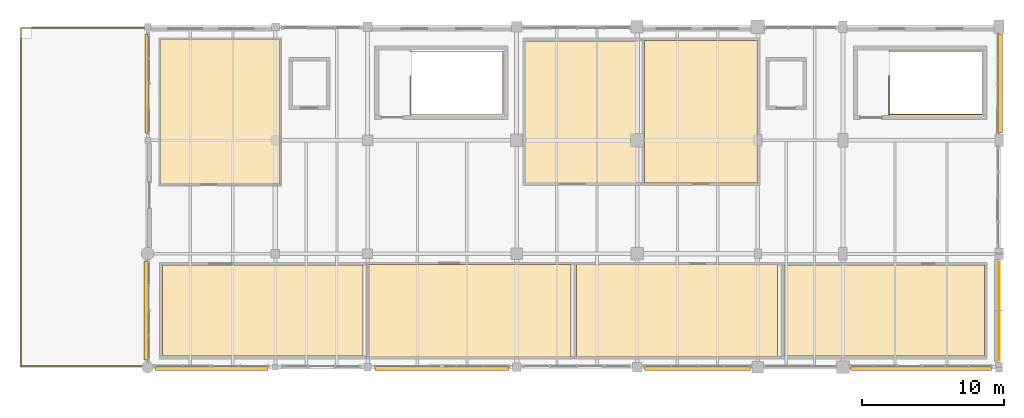
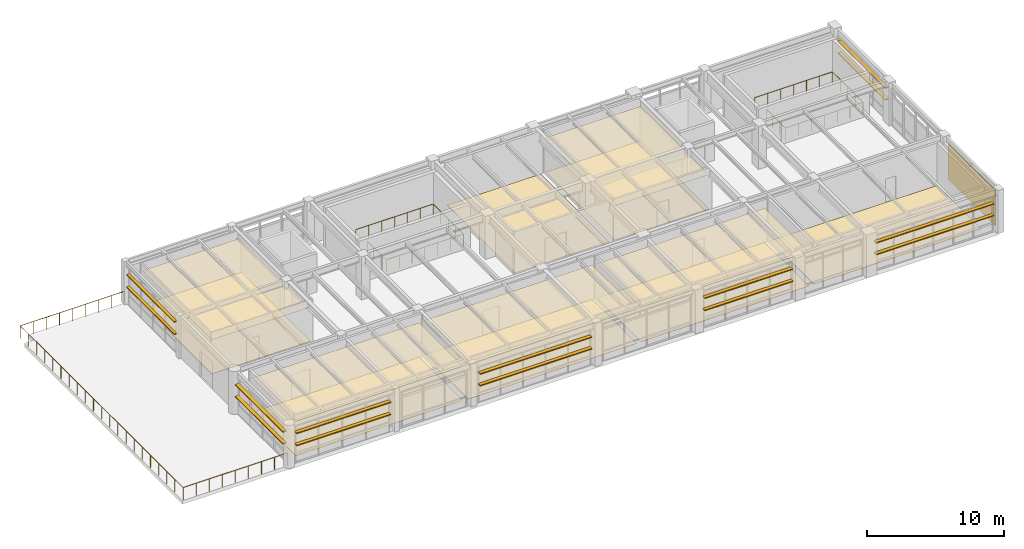
# One storey, part 26 of 26: 14 shading devices, 13 coverings, 3 railings.
"""IFC4 building model written with IfcOpenShell, lengths in metres."""

from ifc_helpers import new_model, si_unit, direction, frame, origin, origin_2d, place, context, subcontext, project, spatial, polyline, rectangle, circle, outline, extrude, material, layer, layer_set, type_object, element, save


model = new_model("IFC4")

# Units and contexts
model_context = context("Model", 3, precision=1e-05, world=origin(), true_north=direction((0.0, 1.0)))
body_context = subcontext(model_context, "Body", "Model", "MODEL_VIEW")
ifc_project = project(units=[si_unit("LENGTHUNIT", "METRE"), si_unit("AREAUNIT", "SQUARE_METRE"), si_unit("VOLUMEUNIT", "CUBIC_METRE"), si_unit("PLANEANGLEUNIT", "RADIAN"), si_unit("MASSUNIT", "GRAM", prefix="KILO"), si_unit("THERMODYNAMICTEMPERATUREUNIT", "KELVIN"), si_unit("POWERUNIT", "WATT")], contexts=[model_context])

# Site, building, storey
site_placement = place(None, origin())
site = spatial("IfcSite", under=ifc_project, at=site_placement, CompositionType="ELEMENT")
building_placement = place(site_placement, origin())
building = spatial("IfcBuilding", under=site, at=building_placement, Name="Tepalcoro Natatorium and Aquatics Centre", CompositionType="ELEMENT")
storey_placement = place(building_placement, frame((0.0, 0.0, 19.0)))
storey = spatial("IfcBuildingStorey", under=building, at=storey_placement, Name="L04", CompositionType="ELEMENT", Elevation=19.0)

# Coverings
ifc_material_1 = material(Name="Jalisco Cantera Rosa Volcanic Tuff Ashlar Masonry", Category="masonry")
ifc_layer_1 = layer(ifc_material_1, 0.06005859375)
ifc_layer_set_1 = layer_set([ifc_layer_1], Name="Jalisco Cantera Rosa Volcanic Tuff Ashlar Masonry")
covering_type_1 = type_object("IfcCoveringType", Name="CD_CANTERA_60", PredefinedType="CLADDING", material=ifc_layer_set_1)
covering_1_placement = place(storey_placement, frame((176.02490234375, 97.97509765625, 0.10009765625), z_axis=(0.0, 0.0, 1.0), x_axis=(1.0, 0.0, 0.0)))
element("IfcCovering", 1, at=covering_1_placement, inside=storey, type_object=covering_type_1, Name="Volcanic Stone Facade Cladding CD_CANTERA_60", PredefinedType="CLADDING", context=body_context, shape_type="SweptSolid", body=[
    extrude(rectangle(XDim=0.06005859375, YDim=6.94189453125, at=origin_2d()), origin(), (0.0, 0.0, 1.0), 3.159912109375),
])
ifc_material_2 = material(Name="Perforated Corrosion-Resistant Acoustic Aluminium Baffle Ceiling", Category="aluminium")
ifc_layer_2 = layer(ifc_material_2, 0.044921875)
ifc_layer_set_2 = layer_set([ifc_layer_2], Name="Perforated Corrosion-Resistant Acoustic Aluminium Baffle Ceiling")
covering_type_2 = type_object("IfcCoveringType", Name="CL_BAFFLE_120", PredefinedType="CEILING", material=ifc_layer_set_2)
covering_2_placement = place(storey_placement, frame((0.0, 0.0, 3.050048828125)))
element("IfcCovering", 2, at=covering_2_placement, inside=storey, type_object=covering_type_2, Name="Aquatic Science Symposium Lecture Room (60 Seats) Suspended Ceiling", PredefinedType="CEILING", context=body_context, shape_type="SweptSolid", body=[
    extrude(outline(polyline([(131.580078125, 94.739990234375), (131.580078125, 101.260009765625), (145.820068359375, 101.260009765625), (145.820068359375, 94.739990234375), (131.580078125, 94.739990234375)])), origin(), (0.0, 0.0, 1.0), 0.044921875),
])
covering_3_placement = place(storey_placement, frame((0.0, 0.0, 3.050048828125)))
element("IfcCovering", 3, at=covering_3_placement, inside=storey, type_object=covering_type_2, Name="High-Altitude Physiology Data & Coaching Suite Suspended Ceiling", PredefinedType="CEILING", context=body_context, shape_type="SweptSolid", body=[
    extrude(outline(polyline([(116.9150390625, 106.9150390625), (116.9150390625, 117.0849609375), (125.284912109375, 117.0849609375), (125.284912109375, 106.9150390625), (116.9150390625, 106.9150390625)])), origin(), (0.0, 0.0, 1.0), 0.044921875),
])
ifc_material_3 = material(Name="Moisture-Resistant Acoustic Gypsum Drywall on Cold-Formed Metal Studs")
ifc_layer_3 = layer(ifc_material_3, 0.030029296875)
ifc_layer_set_3 = layer_set([ifc_layer_3], Name="Moisture-Resistant Acoustic Gypsum Drywall on Cold-Formed Metal Studs")
covering_type_3 = type_object("IfcCoveringType", Name="CL_GYPSUM_30", PredefinedType="CEILING", material=ifc_layer_set_3)
covering_4_placement = place(storey_placement, frame((0.0, 0.0, 3.050048828125)))
element("IfcCovering", 4, at=covering_4_placement, inside=storey, type_object=covering_type_3, Name="Environmental Heat-Acclimatisation Chamber Suspended Ceiling", PredefinedType="CEILING", context=body_context, shape_type="SweptSolid", body=[
    extrude(outline(polyline([(146.2099609375, 94.77001953125), (146.2099609375, 101.22998046875), (160.389892578125, 101.22998046875), (160.389892578125, 94.77001953125), (146.2099609375, 94.77001953125)])), origin(), (0.0, 0.0, 1.0), 0.030029296875),
])
ifc_layer_4 = layer(ifc_material_2, 0.0400390625)
ifc_layer_set_4 = layer_set([ifc_layer_4], Name="Perforated Corrosion-Resistant Acoustic Aluminium Baffle Ceiling")
covering_type_4 = type_object("IfcCoveringType", Name="CL_PERF_AL_40", PredefinedType="CEILING", material=ifc_layer_set_4)
covering_5_placement = place(storey_placement, frame((0.0, 0.0, 3.050048828125)))
element("IfcCovering", 5, at=covering_5_placement, inside=storey, type_object=covering_type_4, Name="Volcanic Sierra Observatory & Athletes Sky Lounge Suspended Ceiling", PredefinedType="CEILING", context=body_context, shape_type="SweptSolid", body=[
    extrude(outline(polyline([(117.034912109375, 94.794921875), (117.034912109375, 101.205078125), (131.1650390625, 101.205078125), (131.1650390625, 94.794921875), (117.034912109375, 94.794921875)])), origin(), (0.0, 0.0, 1.0), 0.0400390625),
])
covering_6_placement = place(storey_placement, frame((0.0, 0.0, 3.050048828125)))
element("IfcCovering", 6, at=covering_6_placement, inside=storey, type_object=covering_type_4, Name="Observatory Catering Pantry & Chair Store Suspended Ceiling", PredefinedType="CEILING", context=body_context, shape_type="SweptSolid", body=[
    extrude(outline(polyline([(151.010009765625, 106.969970703125), (151.010009765625, 117.030029296875), (158.989990234375, 117.030029296875), (158.989990234375, 106.969970703125), (151.010009765625, 106.969970703125)])), origin(), (0.0, 0.0, 1.0), 0.0400390625),
])
ifc_material_4 = material(Name="Shock-Absorbing Vulcanised Athletic Rubber Flooring")
ifc_layer_5 = layer(ifc_material_4, 0.010009765625)
ifc_layer_set_5 = layer_set([ifc_layer_5], Name="Shock-Absorbing Vulcanised Athletic Rubber Flooring")
covering_type_5 = type_object("IfcCoveringType", Name="FL_CARPET_10", PredefinedType="FLOORING", material=ifc_layer_set_5)
covering_7_placement = place(storey_placement, origin())
element("IfcCovering", 7, at=covering_7_placement, inside=storey, type_object=covering_type_5, Name="Observatory Catering Pantry & Chair Store Floor Finish", PredefinedType="FLOORING", context=body_context, shape_type="SweptSolid", body=[
    extrude(outline(polyline([(151.010009765625, 106.969970703125), (151.010009765625, 117.030029296875), (158.989990234375, 117.030029296875), (158.989990234375, 106.969970703125), (151.010009765625, 106.969970703125)])), origin(), (0.0, 0.0, 1.0), 0.010009765625),
])
ifc_material_5 = material(Name="Slip-Resistant Porcelain Aquatic Deck Tile")
ifc_layer_6 = layer(ifc_material_5, 0.02197265625)
ifc_layer_set_6 = layer_set([ifc_layer_6], Name="Slip-Resistant Porcelain Aquatic Deck Tile")
covering_type_6 = type_object("IfcCoveringType", Name="FL_DECK_TILE_22", PredefinedType="FLOORING", material=ifc_layer_set_6)
covering_8_placement = place(storey_placement, origin())
element("IfcCovering", 8, at=covering_8_placement, inside=storey, type_object=covering_type_6, Name="Environmental Heat-Acclimatisation Chamber Floor Finish", PredefinedType="FLOORING", context=body_context, shape_type="SweptSolid", body=[
    extrude(outline(polyline([(146.2099609375, 94.77001953125), (146.2099609375, 101.22998046875), (160.389892578125, 101.22998046875), (160.389892578125, 94.77001953125), (146.2099609375, 94.77001953125)])), origin(), (0.0, 0.0, 1.0), 0.02197265625),
])
ifc_material_6 = material(Name="Chemical-Resistant Quartz-Broadcast Epoxy Flooring")
ifc_layer_7 = layer(ifc_material_6, 0.008056640625)
ifc_layer_set_7 = layer_set([ifc_layer_7], Name="Chemical-Resistant Quartz-Broadcast Epoxy Flooring")
covering_type_7 = type_object("IfcCoveringType", Name="FL_EPOXY_8", PredefinedType="FLOORING", material=ifc_layer_set_7)
covering_9_placement = place(storey_placement, origin())
element("IfcCovering", 9, at=covering_9_placement, inside=storey, type_object=covering_type_7, Name="Solar-Thermal Inverter & Heat-Recovery AHU Plant Floor Finish", PredefinedType="FLOORING", context=body_context, shape_type="SweptSolid", body=[
    extrude(outline(polyline([(142.635009765625, 106.9951171875), (142.635009765625, 117.0048828125), (150.56494140625, 117.0048828125), (150.56494140625, 106.9951171875), (142.635009765625, 106.9951171875)])), origin(), (0.0, 0.0, 1.0), 0.008056640625),
])
ifc_layer_8 = layer(ifc_material_4, 0.011962890625)
ifc_layer_set_8 = layer_set([ifc_layer_8], Name="Shock-Absorbing Vulcanised Athletic Rubber Flooring")
covering_type_8 = type_object("IfcCoveringType", Name="FL_RUBBER_12", PredefinedType="FLOORING", material=ifc_layer_set_8)
covering_10_placement = place(storey_placement, origin())
element("IfcCovering", 10, at=covering_10_placement, inside=storey, type_object=covering_type_8, Name="Volcanic Sierra Observatory & Athletes Sky Lounge Floor Finish", PredefinedType="FLOORING", context=body_context, shape_type="SweptSolid", body=[
    extrude(outline(polyline([(117.034912109375, 94.794921875), (117.034912109375, 101.205078125), (131.1650390625, 101.205078125), (131.1650390625, 94.794921875), (117.034912109375, 94.794921875)])), origin(), (0.0, 0.0, 1.0), 0.011962890625),
])
ifc_material_7 = material(Name="Polished Jalisco Basalt Aggregate Terrazzo Flooring", Category="masonry")
ifc_layer_9 = layer(ifc_material_7, 0.028076171875)
ifc_layer_set_9 = layer_set([ifc_layer_9], Name="Polished Jalisco Basalt Aggregate Terrazzo Flooring")
covering_type_9 = type_object("IfcCoveringType", Name="FL_TERRAZZO_25", PredefinedType="FLOORING", material=ifc_layer_set_9)
covering_11_placement = place(storey_placement, origin())
element("IfcCovering", 11, at=covering_11_placement, inside=storey, type_object=covering_type_9, Name="High-Altitude Physiology Data & Coaching Suite Floor Finish", PredefinedType="FLOORING", context=body_context, shape_type="SweptSolid", body=[
    extrude(outline(polyline([(116.9150390625, 106.9150390625), (116.9150390625, 117.0849609375), (125.284912109375, 117.0849609375), (125.284912109375, 106.9150390625), (116.9150390625, 106.9150390625)])), origin(), (0.0, 0.0, 1.0), 0.028076171875),
])
ifc_layer_10 = layer(ifc_material_5, 0.01806640625)
ifc_layer_set_10 = layer_set([ifc_layer_10], Name="Slip-Resistant Porcelain Aquatic Deck Tile")
covering_type_10 = type_object("IfcCoveringType", Name="FL_TILE_18", PredefinedType="FLOORING", material=ifc_layer_set_10)
covering_12_placement = place(storey_placement, origin())
element("IfcCovering", 12, at=covering_12_placement, inside=storey, type_object=covering_type_10, Name="Aquatic Science Symposium Lecture Room (60 Seats) Floor Finish", PredefinedType="FLOORING", context=body_context, shape_type="SweptSolid", body=[
    extrude(outline(polyline([(131.580078125, 94.739990234375), (131.580078125, 101.260009765625), (145.820068359375, 101.260009765625), (145.820068359375, 94.739990234375), (131.580078125, 94.739990234375)])), origin(), (0.0, 0.0, 1.0), 0.01806640625),
])
ifc_material_8 = material(Name="Sprung Maple Sports Floor Assembly")
ifc_layer_11 = layer(ifc_material_8, 0.02392578125)
ifc_layer_set_11 = layer_set([ifc_layer_11], Name="Sprung Maple Sports Floor Assembly")
covering_type_11 = type_object("IfcCoveringType", Name="FL_WOOD_22", PredefinedType="FLOORING", material=ifc_layer_set_11)
covering_13_placement = place(storey_placement, origin())
element("IfcCovering", 13, at=covering_13_placement, inside=storey, type_object=covering_type_11, Name="L04 Observatory Male/Female & Accessible Toilets Floor Finish", PredefinedType="FLOORING", context=body_context, shape_type="SweptSolid", body=[
    extrude(outline(polyline([(160.830078125, 94.7900390625), (160.830078125, 101.2099609375), (174.969970703125, 101.2099609375), (174.969970703125, 94.7900390625), (160.830078125, 94.7900390625)])), origin(), (0.0, 0.0, 1.0), 0.02392578125),
])

# Railings
ifc_material_9 = material(Name="Marine-Grade Brushed Stainless Steel AISI 316L", Category="steel")
railing_type_1 = type_object("IfcRailingType", Name="RL_GLASS_1100", PredefinedType="GUARDRAIL", material=ifc_material_9)
railing_1_placement = place(storey_placement, frame((134.510009765625, 114.530029296875, 0.0)))
element("IfcRailing", 14, at=railing_1_placement, inside=storey, type_object=railing_type_1, Name="ST09 Top Floor Stairwell Guardrail (L04)", PredefinedType="GUARDRAIL", context=body_context, shape_type="SweptSolid", body=[
    extrude(circle(Radius=0.02392578125, at=origin_2d()), frame((0.0, 0.0, 1.09619140625), z_axis=(0.0, -1.0, 0.0), x_axis=(1.0, 0.0, 0.0)), (0.0, 0.0, 1.0), 2.699951171875),
    extrude(circle(Radius=0.02392578125, at=origin_2d()), frame((0.0, -2.699951171875, 1.09619140625), z_axis=(1.0, 0.0, 0.0), x_axis=(0.0, 1.0, 0.0)), (0.0, 0.0, 1.0), 6.530029296875),
    extrude(circle(Radius=0.02392578125, at=origin_2d()), frame((6.530029296875, -2.699951171875, 1.09619140625), z_axis=(0.0, 1.0, 0.0), x_axis=(-1.0, 0.0, 0.0)), (0.0, 0.0, 1.0), 4.43994140625),
    extrude(circle(Radius=0.02392578125, at=origin_2d()), frame((6.530029296875, 1.739990234375, 1.09619140625), z_axis=(-1.0, 0.0, 0.0), x_axis=(0.0, -1.0, 0.0)), (0.0, 0.0, 1.0), 6.530029296875),
    extrude(circle(Radius=0.02099609375, at=origin_2d()), origin(), (0.0, 0.0, 1.0), 1.072021484375),
    extrude(circle(Radius=0.02099609375, at=origin_2d()), frame((0.0, -0.89990234375, 0.0)), (0.0, 0.0, 1.0), 1.072021484375),
    extrude(circle(Radius=0.02099609375, at=origin_2d()), frame((0.0, -1.800048828125, 0.0)), (0.0, 0.0, 1.0), 1.072021484375),
    extrude(circle(Radius=0.02099609375, at=origin_2d()), frame((0.0, -2.699951171875, 0.0)), (0.0, 0.0, 1.0), 1.072021484375),
    extrude(circle(Radius=0.02099609375, at=origin_2d()), frame((1.08837890625, -2.699951171875, 0.0)), (0.0, 0.0, 1.0), 1.072021484375),
    extrude(circle(Radius=0.02099609375, at=origin_2d()), frame((2.1767578125, -2.699951171875, 0.0)), (0.0, 0.0, 1.0), 1.072021484375),
    extrude(circle(Radius=0.02099609375, at=origin_2d()), frame((3.26513671875, -2.699951171875, 0.0)), (0.0, 0.0, 1.0), 1.072021484375),
    extrude(circle(Radius=0.02099609375, at=origin_2d()), frame((4.353271484375, -2.699951171875, 0.0)), (0.0, 0.0, 1.0), 1.072021484375),
    extrude(circle(Radius=0.02099609375, at=origin_2d()), frame((5.441650390625, -2.699951171875, 0.0)), (0.0, 0.0, 1.0), 1.072021484375),
    extrude(circle(Radius=0.02099609375, at=origin_2d()), frame((6.530029296875, -2.699951171875, 0.0)), (0.0, 0.0, 1.0), 1.072021484375),
    extrude(circle(Radius=0.02099609375, at=origin_2d()), frame((6.530029296875, -1.58984375, 0.0)), (0.0, 0.0, 1.0), 1.072021484375),
    extrude(circle(Radius=0.02099609375, at=origin_2d()), frame((6.530029296875, -0.47998046875, 0.0)), (0.0, 0.0, 1.0), 1.072021484375),
    extrude(circle(Radius=0.02099609375, at=origin_2d()), frame((6.530029296875, 0.6298828125, 0.0)), (0.0, 0.0, 1.0), 1.072021484375),
    extrude(circle(Radius=0.02099609375, at=origin_2d()), frame((6.530029296875, 1.739990234375, 0.0)), (0.0, 0.0, 1.0), 1.072021484375),
    extrude(circle(Radius=0.02099609375, at=origin_2d()), frame((5.441650390625, 1.739990234375, 0.0)), (0.0, 0.0, 1.0), 1.072021484375),
    extrude(circle(Radius=0.02099609375, at=origin_2d()), frame((4.353271484375, 1.739990234375, 0.0)), (0.0, 0.0, 1.0), 1.072021484375),
    extrude(circle(Radius=0.02099609375, at=origin_2d()), frame((3.26513671875, 1.739990234375, 0.0)), (0.0, 0.0, 1.0), 1.072021484375),
    extrude(circle(Radius=0.02099609375, at=origin_2d()), frame((2.1767578125, 1.739990234375, 0.0)), (0.0, 0.0, 1.0), 1.072021484375),
    extrude(circle(Radius=0.02099609375, at=origin_2d()), frame((1.08837890625, 1.739990234375, 0.0)), (0.0, 0.0, 1.0), 1.072021484375),
    extrude(circle(Radius=0.02099609375, at=origin_2d()), frame((0.0, 1.739990234375, 0.0)), (0.0, 0.0, 1.0), 1.072021484375),
])
railing_2_placement = place(storey_placement, frame((115.919921875, 94.080078125, 0.0)))
element("IfcRailing", 15, at=railing_2_placement, inside=storey, type_object=railing_type_1, Name="V5 L04 Planted Altitude Lab Terrace Guardrail", PredefinedType="GUARDRAIL", context=body_context, shape_type="SweptSolid", body=[
    extrude(circle(Radius=0.02392578125, at=origin_2d()), frame((0.0, 0.0, 1.09619140625), z_axis=(-1.0, 0.0, 0.0), x_axis=(0.0, -1.0, 0.0)), (0.0, 0.0, 1.0), 8.83984375),
    extrude(circle(Radius=0.02392578125, at=origin_2d()), frame((-8.83984375, 0.0, 1.09619140625), z_axis=(0.0, 1.0, 0.0), x_axis=(-1.0, 0.0, 0.0)), (0.0, 0.0, 1.0), 23.83984375),
    extrude(circle(Radius=0.02392578125, at=origin_2d()), frame((-8.83984375, 23.83984375, 1.09619140625), z_axis=(1.0, 0.0, 0.0), x_axis=(0.0, 1.0, 0.0)), (0.0, 0.0, 1.0), 8.83984375),
    extrude(circle(Radius=0.02099609375, at=origin_2d()), origin(), (0.0, 0.0, 1.0), 1.072021484375),
    extrude(circle(Radius=0.02099609375, at=origin_2d()), frame((-1.10498046875, 0.0, 0.0)), (0.0, 0.0, 1.0), 1.072021484375),
    extrude(circle(Radius=0.02099609375, at=origin_2d()), frame((-2.2099609375, 0.0, 0.0)), (0.0, 0.0, 1.0), 1.072021484375),
    extrude(circle(Radius=0.02099609375, at=origin_2d()), frame((-3.31494140625, 0.0, 0.0)), (0.0, 0.0, 1.0), 1.072021484375),
    extrude(circle(Radius=0.02099609375, at=origin_2d()), frame((-4.419921875, 0.0, 0.0)), (0.0, 0.0, 1.0), 1.072021484375),
    extrude(circle(Radius=0.02099609375, at=origin_2d()), frame((-5.52490234375, 0.0, 0.0)), (0.0, 0.0, 1.0), 1.072021484375),
    extrude(circle(Radius=0.02099609375, at=origin_2d()), frame((-6.6298828125, 0.0, 0.0)), (0.0, 0.0, 1.0), 1.072021484375),
    extrude(circle(Radius=0.02099609375, at=origin_2d()), frame((-7.73486328125, 0.0, 0.0)), (0.0, 0.0, 1.0), 1.072021484375),
    extrude(circle(Radius=0.02099609375, at=origin_2d()), frame((-8.83984375, 0.0, 0.0)), (0.0, 0.0, 1.0), 1.072021484375),
    extrude(circle(Radius=0.02099609375, at=origin_2d()), frame((-8.83984375, 1.19189453125, 0.0)), (0.0, 0.0, 1.0), 1.072021484375),
    extrude(circle(Radius=0.02099609375, at=origin_2d()), frame((-8.83984375, 2.384033203125, 0.0)), (0.0, 0.0, 1.0), 1.072021484375),
    extrude(circle(Radius=0.02099609375, at=origin_2d()), frame((-8.83984375, 3.575927734375, 0.0)), (0.0, 0.0, 1.0), 1.072021484375),
    extrude(circle(Radius=0.02099609375, at=origin_2d()), frame((-8.83984375, 4.76806640625, 0.0)), (0.0, 0.0, 1.0), 1.072021484375),
    extrude(circle(Radius=0.02099609375, at=origin_2d()), frame((-8.83984375, 5.9599609375, 0.0)), (0.0, 0.0, 1.0), 1.072021484375),
    extrude(circle(Radius=0.02099609375, at=origin_2d()), frame((-8.83984375, 7.15185546875, 0.0)), (0.0, 0.0, 1.0), 1.072021484375),
    extrude(circle(Radius=0.02099609375, at=origin_2d()), frame((-8.83984375, 8.343994140625, 0.0)), (0.0, 0.0, 1.0), 1.072021484375),
    extrude(circle(Radius=0.02099609375, at=origin_2d()), frame((-8.83984375, 9.535888671875, 0.0)), (0.0, 0.0, 1.0), 1.072021484375),
    extrude(circle(Radius=0.02099609375, at=origin_2d()), frame((-8.83984375, 10.72802734375, 0.0)), (0.0, 0.0, 1.0), 1.072021484375),
    extrude(circle(Radius=0.02099609375, at=origin_2d()), frame((-8.83984375, 11.919921875, 0.0)), (0.0, 0.0, 1.0), 1.072021484375),
    extrude(circle(Radius=0.02099609375, at=origin_2d()), frame((-8.83984375, 13.11181640625, 0.0)), (0.0, 0.0, 1.0), 1.072021484375),
    extrude(circle(Radius=0.02099609375, at=origin_2d()), frame((-8.83984375, 14.303955078125, 0.0)), (0.0, 0.0, 1.0), 1.072021484375),
    extrude(circle(Radius=0.02099609375, at=origin_2d()), frame((-8.83984375, 15.495849609375, 0.0)), (0.0, 0.0, 1.0), 1.072021484375),
    extrude(circle(Radius=0.02099609375, at=origin_2d()), frame((-8.83984375, 16.68798828125, 0.0)), (0.0, 0.0, 1.0), 1.072021484375),
    extrude(circle(Radius=0.02099609375, at=origin_2d()), frame((-8.83984375, 17.8798828125, 0.0)), (0.0, 0.0, 1.0), 1.072021484375),
    extrude(circle(Radius=0.02099609375, at=origin_2d()), frame((-8.83984375, 19.07177734375, 0.0)), (0.0, 0.0, 1.0), 1.072021484375),
    extrude(circle(Radius=0.02099609375, at=origin_2d()), frame((-8.83984375, 20.263916015625, 0.0)), (0.0, 0.0, 1.0), 1.072021484375),
    extrude(circle(Radius=0.02099609375, at=origin_2d()), frame((-8.83984375, 21.455810546875, 0.0)), (0.0, 0.0, 1.0), 1.072021484375),
    extrude(circle(Radius=0.02099609375, at=origin_2d()), frame((-8.83984375, 22.64794921875, 0.0)), (0.0, 0.0, 1.0), 1.072021484375),
    extrude(circle(Radius=0.02099609375, at=origin_2d()), frame((-8.83984375, 23.83984375, 0.0)), (0.0, 0.0, 1.0), 1.072021484375),
    extrude(circle(Radius=0.02099609375, at=origin_2d()), frame((-7.73486328125, 23.83984375, 0.0)), (0.0, 0.0, 1.0), 1.072021484375),
    extrude(circle(Radius=0.02099609375, at=origin_2d()), frame((-6.6298828125, 23.83984375, 0.0)), (0.0, 0.0, 1.0), 1.072021484375),
    extrude(circle(Radius=0.02099609375, at=origin_2d()), frame((-5.52490234375, 23.83984375, 0.0)), (0.0, 0.0, 1.0), 1.072021484375),
    extrude(circle(Radius=0.02099609375, at=origin_2d()), frame((-4.419921875, 23.83984375, 0.0)), (0.0, 0.0, 1.0), 1.072021484375),
    extrude(circle(Radius=0.02099609375, at=origin_2d()), frame((-3.31494140625, 23.83984375, 0.0)), (0.0, 0.0, 1.0), 1.072021484375),
    extrude(circle(Radius=0.02099609375, at=origin_2d()), frame((-2.2099609375, 23.83984375, 0.0)), (0.0, 0.0, 1.0), 1.072021484375),
    extrude(circle(Radius=0.02099609375, at=origin_2d()), frame((-1.10498046875, 23.83984375, 0.0)), (0.0, 0.0, 1.0), 1.072021484375),
    extrude(circle(Radius=0.02099609375, at=origin_2d()), frame((0.0, 23.83984375, 0.0)), (0.0, 0.0, 1.0), 1.072021484375),
])
railing_type_2 = type_object("IfcRailingType", Name="RL_SS_1100", PredefinedType="GUARDRAIL", material=ifc_material_9)
railing_3_placement = place(storey_placement, frame((168.239990234375, 114.550048828125, 0.0)))
element("IfcRailing", 16, at=railing_3_placement, inside=storey, type_object=railing_type_2, Name="ST10 Top Floor Stairwell Guardrail (L04)", PredefinedType="GUARDRAIL", context=body_context, shape_type="SweptSolid", body=[
    extrude(circle(Radius=0.02392578125, at=origin_2d()), frame((0.0, 0.0, 1.076171875), z_axis=(0.0, -1.0, 0.0), x_axis=(1.0, 0.0, 0.0)), (0.0, 0.0, 1.0), 2.739990234375),
    extrude(circle(Radius=0.02392578125, at=origin_2d()), frame((0.0, -2.739990234375, 1.076171875), z_axis=(1.0, 0.0, 0.0), x_axis=(0.0, 1.0, 0.0)), (0.0, 0.0, 1.0), 6.570068359375),
    extrude(circle(Radius=0.02392578125, at=origin_2d()), frame((6.570068359375, -2.739990234375, 1.076171875), z_axis=(0.0, 1.0, 0.0), x_axis=(-1.0, 0.0, 0.0)), (0.0, 0.0, 1.0), 4.47998046875),
    extrude(circle(Radius=0.02392578125, at=origin_2d()), frame((6.570068359375, 1.739990234375, 1.076171875), z_axis=(-1.0, 0.0, 0.0), x_axis=(0.0, -1.0, 0.0)), (0.0, 0.0, 1.0), 6.570068359375),
    extrude(circle(Radius=0.02099609375, at=origin_2d()), origin(), (0.0, 0.0, 1.0), 1.052001953125),
    extrude(circle(Radius=0.02099609375, at=origin_2d()), frame((0.0, -0.913330078125, 0.0)), (0.0, 0.0, 1.0), 1.052001953125),
    extrude(circle(Radius=0.02099609375, at=origin_2d()), frame((0.0, -1.82666015625, 0.0)), (0.0, 0.0, 1.0), 1.052001953125),
    extrude(circle(Radius=0.02099609375, at=origin_2d()), frame((0.0, -2.739990234375, 0.0)), (0.0, 0.0, 1.0), 1.052001953125),
    extrude(circle(Radius=0.02099609375, at=origin_2d()), frame((1.094970703125, -2.739990234375, 0.0)), (0.0, 0.0, 1.0), 1.052001953125),
    extrude(circle(Radius=0.02099609375, at=origin_2d()), frame((2.18994140625, -2.739990234375, 0.0)), (0.0, 0.0, 1.0), 1.052001953125),
    extrude(circle(Radius=0.02099609375, at=origin_2d()), frame((3.28515625, -2.739990234375, 0.0)), (0.0, 0.0, 1.0), 1.052001953125),
    extrude(circle(Radius=0.02099609375, at=origin_2d()), frame((4.380126953125, -2.739990234375, 0.0)), (0.0, 0.0, 1.0), 1.052001953125),
    extrude(circle(Radius=0.02099609375, at=origin_2d()), frame((5.47509765625, -2.739990234375, 0.0)), (0.0, 0.0, 1.0), 1.052001953125),
    extrude(circle(Radius=0.02099609375, at=origin_2d()), frame((6.570068359375, -2.739990234375, 0.0)), (0.0, 0.0, 1.0), 1.052001953125),
    extrude(circle(Radius=0.02099609375, at=origin_2d()), frame((6.570068359375, -1.6201171875, 0.0)), (0.0, 0.0, 1.0), 1.052001953125),
    extrude(circle(Radius=0.02099609375, at=origin_2d()), frame((6.570068359375, -0.5, 0.0)), (0.0, 0.0, 1.0), 1.052001953125),
    extrude(circle(Radius=0.02099609375, at=origin_2d()), frame((6.570068359375, 0.6201171875, 0.0)), (0.0, 0.0, 1.0), 1.052001953125),
    extrude(circle(Radius=0.02099609375, at=origin_2d()), frame((6.570068359375, 1.739990234375, 0.0)), (0.0, 0.0, 1.0), 1.052001953125),
    extrude(circle(Radius=0.02099609375, at=origin_2d()), frame((5.47509765625, 1.739990234375, 0.0)), (0.0, 0.0, 1.0), 1.052001953125),
    extrude(circle(Radius=0.02099609375, at=origin_2d()), frame((4.380126953125, 1.739990234375, 0.0)), (0.0, 0.0, 1.0), 1.052001953125),
    extrude(circle(Radius=0.02099609375, at=origin_2d()), frame((3.28515625, 1.739990234375, 0.0)), (0.0, 0.0, 1.0), 1.052001953125),
    extrude(circle(Radius=0.02099609375, at=origin_2d()), frame((2.18994140625, 1.739990234375, 0.0)), (0.0, 0.0, 1.0), 1.052001953125),
    extrude(circle(Radius=0.02099609375, at=origin_2d()), frame((1.094970703125, 1.739990234375, 0.0)), (0.0, 0.0, 1.0), 1.052001953125),
    extrude(circle(Radius=0.02099609375, at=origin_2d()), frame((0.0, 1.739990234375, 0.0)), (0.0, 0.0, 1.0), 1.052001953125),
])

# Shading devices
ifc_material_10 = material(Name="Bronze-Anodised Extruded Aluminium Alloy EN AW-6063 T6", Category="aluminium")
shading_device_type_1 = type_object("IfcShadingDeviceType", Name="SHD_FIN_BRONZE", PredefinedType="SHUTTER", material=ifc_material_10)
for number, where, z_axis, x_axis, name in (
    (17, (120.5, 93.90625, 1.692138671875), (0.0, 0.0, 1.0), (1.0, 0.0, 0.0), "Solar Shading Brise-Soleil SHD_FIN_BRONZE"),
    (18, (120.5, 93.90625, 2.782470703125), (0.0, 0.0, 1.0), (1.0, 0.0, 0.0), "Solar Shading Brise-Soleil SHD_FIN_BRONZE"),
):
    element("IfcShadingDevice", number, at=place(storey_placement, frame(where, z_axis=z_axis, x_axis=x_axis)), inside=storey, type_object=shading_device_type_1, Name=name, PredefinedType="SHUTTER", context=body_context, shape_type="SweptSolid", body=[
        extrude(rectangle(XDim=7.9599609375, YDim=0.300048828125, at=origin_2d()), origin(), (0.0, 0.0, 1.0), 0.080078125),
    ])
for number, where, z_axis, x_axis, name in (
    (19, (136.75, 93.90625, 1.61376953125), (0.0, 0.0, 1.0), (1.0, 0.0, 0.0), "Solar Shading Brise-Soleil SHD_FIN_BRONZE"),
    (20, (136.75, 93.90625, 2.65478515625), (0.0, 0.0, 1.0), (1.0, 0.0, 0.0), "Solar Shading Brise-Soleil SHD_FIN_BRONZE"),
):
    element("IfcShadingDevice", number, at=place(storey_placement, frame(where, z_axis=z_axis, x_axis=x_axis)), inside=storey, type_object=shading_device_type_1, Name=name, PredefinedType="SHUTTER", context=body_context, shape_type="SweptSolid", body=[
        extrude(rectangle(XDim=9.4599609375, YDim=0.300048828125, at=origin_2d()), origin(), (0.0, 0.0, 1.0), 0.080078125),
    ])
for number, where, z_axis, x_axis, name in (
    (21, (154.75, 93.90625, 1.692138671875), (0.0, 0.0, 1.0), (1.0, 0.0, 0.0), "Solar Shading Brise-Soleil SHD_FIN_BRONZE"),
    (22, (154.75, 93.90625, 2.782470703125), (0.0, 0.0, 1.0), (1.0, 0.0, 0.0), "Solar Shading Brise-Soleil SHD_FIN_BRONZE"),
):
    element("IfcShadingDevice", number, at=place(storey_placement, frame(where, z_axis=z_axis, x_axis=x_axis)), inside=storey, type_object=shading_device_type_1, Name=name, PredefinedType="SHUTTER", context=body_context, shape_type="SweptSolid", body=[
        extrude(rectangle(XDim=7.4599609375, YDim=0.300048828125, at=origin_2d()), origin(), (0.0, 0.0, 1.0), 0.080078125),
    ])
for number, where, z_axis, x_axis, name in (
    (23, (170.5, 93.90625, 1.61376953125), (0.0, 0.0, 1.0), (1.0, 0.0, 0.0), "Solar Shading Brise-Soleil SHD_FIN_BRONZE"),
    (24, (170.5, 93.90625, 2.65478515625), (0.0, 0.0, 1.0), (1.0, 0.0, 0.0), "Solar Shading Brise-Soleil SHD_FIN_BRONZE"),
):
    element("IfcShadingDevice", number, at=place(storey_placement, frame(where, z_axis=z_axis, x_axis=x_axis)), inside=storey, type_object=shading_device_type_1, Name=name, PredefinedType="SHUTTER", context=body_context, shape_type="SweptSolid", body=[
        extrude(rectangle(XDim=9.9599609375, YDim=0.300048828125, at=origin_2d()), origin(), (0.0, 0.0, 1.0), 0.080078125),
    ])
for number, where, z_axis, x_axis, name in (
    (25, (115.90625, 98.0, 1.65283203125), (0.0, 0.0, 1.0), (1.0, 0.0, 0.0), "Solar Shading Brise-Soleil SHD_FIN_BRONZE"),
    (26, (115.90625, 98.0, 2.718505859375), (0.0, 0.0, 1.0), (1.0, 0.0, 0.0), "Solar Shading Brise-Soleil SHD_FIN_BRONZE"),
    (27, (176.0888671875, 114.0, 1.61376953125), (0.0, 0.0, 1.0), (1.0, 0.0, 0.0), "Solar Shading Brise-Soleil SHD_FIN_BRONZE"),
    (28, (176.0888671875, 114.0, 2.65478515625), (0.0, 0.0, 1.0), (1.0, 0.0, 0.0), "Solar Shading Brise-Soleil SHD_FIN_BRONZE"),
):
    element("IfcShadingDevice", number, at=place(storey_placement, frame(where, z_axis=z_axis, x_axis=x_axis)), inside=storey, type_object=shading_device_type_1, Name=name, PredefinedType="SHUTTER", context=body_context, shape_type="SweptSolid", body=[
        extrude(rectangle(XDim=0.300048828125, YDim=6.9599609375, at=origin_2d()), origin(), (0.0, 0.0, 1.0), 0.080078125),
    ])
shading_device_type_2 = type_object("IfcShadingDeviceType", Name="SHD_LOUVRE_AL", PredefinedType="JALOUSIE", material=ifc_material_10)
for number, where, z_axis, x_axis, name in (
    (29, (115.936279296875, 114.0, 1.71630859375), (0.0, 0.0, 1.0), (1.0, 0.0, 0.0), "Solar Shading Brise-Soleil SHD_LOUVRE_AL"),
    (30, (115.936279296875, 114.0, 2.82177734375), (0.0, 0.0, 1.0), (1.0, 0.0, 0.0), "Solar Shading Brise-Soleil SHD_LOUVRE_AL"),
):
    element("IfcShadingDevice", number, at=place(storey_placement, frame(where, z_axis=z_axis, x_axis=x_axis)), inside=storey, type_object=shading_device_type_2, Name=name, PredefinedType="JALOUSIE", context=body_context, shape_type="SweptSolid", body=[
        extrude(rectangle(XDim=0.239990234375, YDim=6.9599609375, at=origin_2d()), origin(), (0.0, 0.0, 1.0), 0.080078125),
    ])

save(model, "model.ifc")
